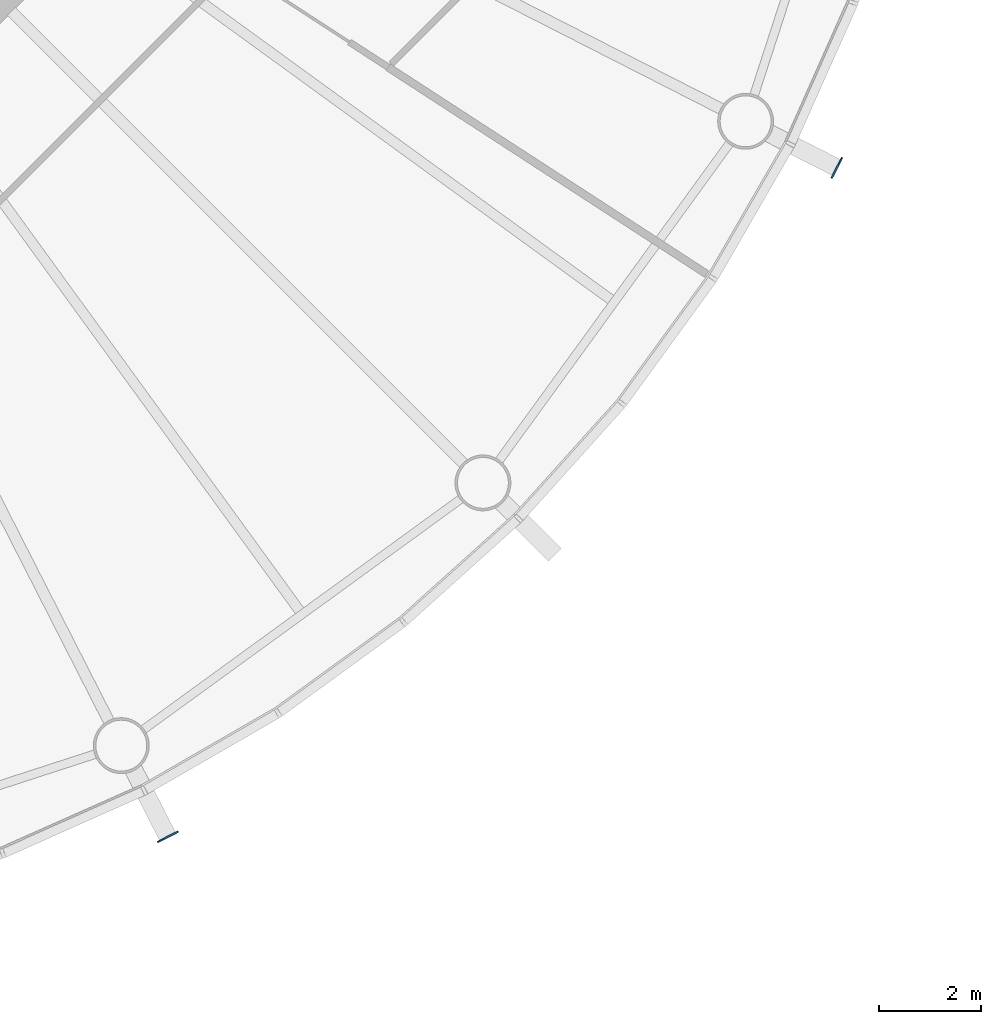
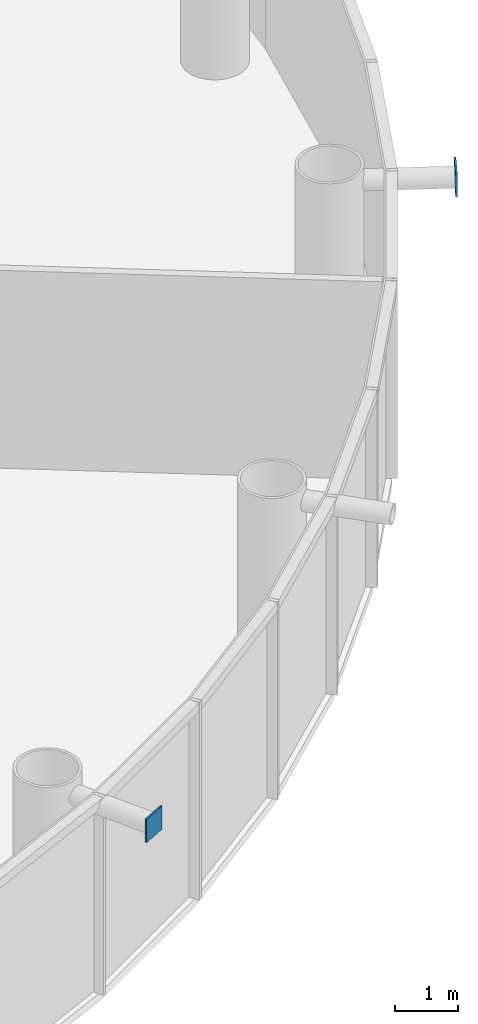
# One storey, part 8 of 17: 2 discrete accessories.
"""IFC4 building model written with IfcOpenShell, lengths in metres."""

from ifc_helpers import new_model, si_unit, direction, frame, origin, origin_2d, place, context, subcontext, project, spatial, rectangle, extrude, material, element, save


model = new_model("IFC4")

# Units and contexts
model_context = context("Model", 3, precision=1e-05, world=origin(), true_north=direction((0.0, 1.0)))
body_context = subcontext(model_context, "Body", "Model", "MODEL_VIEW")
ifc_project = project(units=[si_unit("LENGTHUNIT", "METRE"), si_unit("AREAUNIT", "SQUARE_METRE"), si_unit("VOLUMEUNIT", "CUBIC_METRE"), si_unit("PLANEANGLEUNIT", "RADIAN"), si_unit("MASSUNIT", "GRAM", prefix="KILO")], contexts=[model_context])

# Site, building, storey
site_placement = place(None, origin())
site = spatial("IfcSite", under=ifc_project, at=site_placement, CompositionType="ELEMENT")
building_placement = place(site_placement, origin())
building = spatial("IfcBuilding", under=site, at=building_placement, Name="Entoto Ring Tower", CompositionType="ELEMENT")
storey_placement = place(building_placement, frame((0.0, 0.0, 160.0)))
storey = spatial("IfcBuildingStorey", under=building, at=storey_placement, Name="L36", CompositionType="ELEMENT", Elevation=160.0)

# Discrete accessories
ifc_material = material(Name="Steel S355", Category="steel")
for number, where, z_axis, x_axis, name in (
    (1, (103.671875, 53.167236328125, 3.4443359375), (0.0, 0.0, 1.0), (0.45399049974, -0.891006524188, 0.0), "Node strut end plate DS1 ring 11 16"),
    (2, (116.832763671875, 66.328125, 3.4443359375), (0.0, 0.0, 1.0), (0.891006524188, -0.45399049974, 0.0), "Node strut end plate DS1 ring 11 18"),
):
    element("IfcDiscreteAccessory", number, at=place(storey_placement, frame(where, z_axis=z_axis, x_axis=x_axis)), inside=storey, material=ifc_material, Name=name, PredefinedType="BRACKET", context=body_context, shape_type="SweptSolid", body=[
        extrude(rectangle(XDim=0.030029296875, YDim=0.45556640625, at=origin_2d()), origin(), (0.0, 0.0, 1.0), 0.45556640625),
    ])

save(model, "model.ifc")
